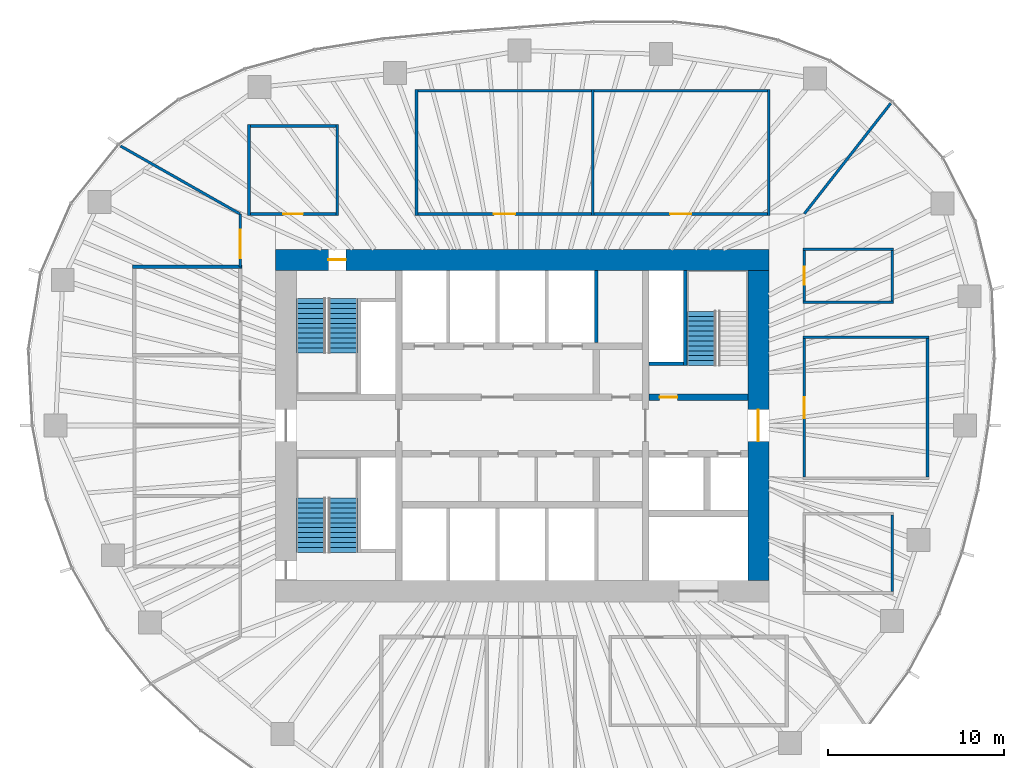
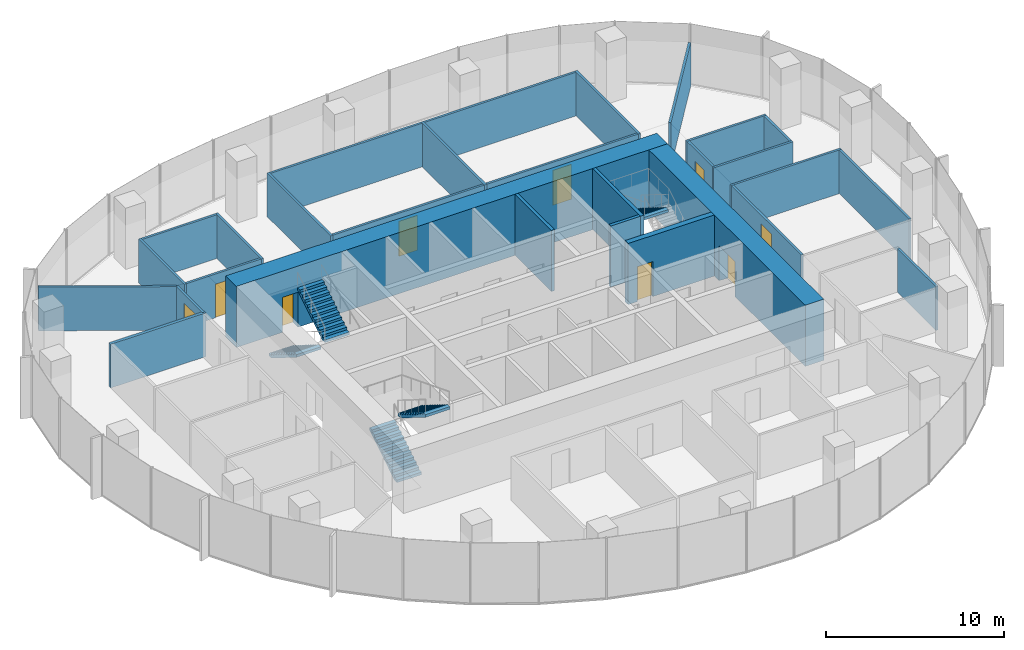
# One storey, part 10 of 12: 29 walls, 9 doors, 5 stair flights, 9 openings, 3 elements without a shape of their own.
"""IFC4 building model written with IfcOpenShell, lengths in metres."""

from ifc_helpers import new_model, si_unit, direction, frame, frame_2d, origin, place, context, subcontext, project, spatial, polyline, rectangle, outline, extrude, material, layer, layer_set, type_object, element, fill, aggregate, save


model = new_model("IFC4")

# Units and contexts
model_context = context("Model", 3, precision=1e-05, world=origin(), true_north=direction((0.0, 1.0)))
body_context = subcontext(model_context, "Body", "Model", "MODEL_VIEW")
ifc_project = project(units=[si_unit("LENGTHUNIT", "METRE"), si_unit("AREAUNIT", "SQUARE_METRE"), si_unit("VOLUMEUNIT", "CUBIC_METRE"), si_unit("PLANEANGLEUNIT", "RADIAN"), si_unit("MASSUNIT", "GRAM", prefix="KILO")], contexts=[model_context])

# Site, building, storey
site_placement = place(None, origin())
site = spatial("IfcSite", under=ifc_project, at=site_placement, CompositionType="ELEMENT")
building_placement = place(site_placement, origin())
building = spatial("IfcBuilding", under=site, at=building_placement, Name="Ghaith Harvest Tower", CompositionType="ELEMENT")
storey_placement = place(building_placement, frame((0.0, 0.0, 224.199951171875)))
storey = spatial("IfcBuildingStorey", under=building, at=storey_placement, Name="L49", CompositionType="ELEMENT", Elevation=224.199951171875)

# Wall
ifc_material_1 = material(Name="Twin-stud gypsum board, acoustic", Category="gypsum")
ifc_layer_1 = layer(ifc_material_1, 0.199951171875)
ifc_layer_set_1 = layer_set([ifc_layer_1], Name="ACOUSTIC PARTITION 200")
wall_type_1 = type_object("IfcWallType", Name="ACOUSTIC PARTITION 200", PredefinedType="PARTITIONING", material=ifc_layer_set_1)
wall_1_placement = place(storey_placement, frame((-15.89990234375, 9.0, 0.0), z_axis=(0.0, 0.0, 1.0), x_axis=(-1.0, 0.0, 0.0)))
element("IfcWall", 1, at=wall_1_placement, inside=storey, type_object=wall_type_1, Name="Partition L49 row W6 cross wall 5", PredefinedType="PARTITIONING", context=body_context, shape_type="SweptSolid", body=[
    extrude(rectangle(XDim=6.2001953125, YDim=0.199951171875, at=frame_2d((3.10009765625, 0.0))), origin(), (0.0, 0.0, 1.0), 3.0),
])

# Wall, opening, door
ifc_material_2 = material(Name="Concrete C60/75", Category="concrete")
ifc_layer_2 = layer(ifc_material_2, 1.199951171875)
ifc_layer_set_2 = layer_set([ifc_layer_2], Name="CORE WALL CW1200 C60")
wall_type_2 = type_object("IfcWallType", Name="CORE WALL CW1200 C60", PredefinedType="SHEAR", material=ifc_layer_set_2)
wall_2_placement = place(storey_placement, frame((14.0, 9.39990234375, 0.0), z_axis=(0.0, 0.0, 1.0), x_axis=(-1.0, 0.0, 0.0)))
wall_2 = element("IfcWall", 2, at=wall_2_placement, inside=storey, type_object=wall_type_2, Name="Core wall N L49", PredefinedType="SHEAR", context=body_context, shape_type="SweptSolid", body=[
    extrude(rectangle(XDim=28.0, YDim=1.199951171875, at=frame_2d((14.0, 0.0))), origin(), (0.0, 0.0, 1.0), 4.199951171875),
])
opening_1_placement = place(wall_2_placement, frame((24.0, 0.0, 0.0)))
opening_1 = element("IfcOpeningElement", 3, at=opening_1_placement, cuts=wall_2, Name="Opening 49-005", PredefinedType="OPENING", context=body_context, shape_type="SweptSolid", body=[
    extrude(rectangle(XDim=1.0, YDim=2.39990234375, at=frame_2d((0.5, 1.199951171875))), frame((0.0, 0.60986328125, 0.0), z_axis=(0.0, -1.0, 0.0), x_axis=(1.0, 0.0, 0.0)), (0.0, 0.0, 1.0), 1.219970703125),
])
ifc_material_3 = material(Name="Steel fire door", Category="steel")
door_type_1 = type_object("IfcDoorType", Name="D3 FD90 1000x2400", OperationType="SINGLE_SWING_LEFT", PredefinedType="DOOR", material=ifc_material_3)
door_1_placement = place(opening_1_placement, origin())
door_1 = element("IfcDoor", 4, at=door_1_placement, inside=storey, type_object=door_type_1, Name="Stair ST1 door", OperationType="SINGLE_SWING_RIGHT", OverallHeight=2.39990234375, OverallWidth=1.0, PredefinedType="DOOR", context=body_context, shape_type="SweptSolid", body=[
    extrude(rectangle(XDim=1.0, YDim=2.39990234375, at=frame_2d((0.5, 1.199951171875))), frame((0.0, 0.02490234375, 0.0), z_axis=(0.0, -1.0, 0.0), x_axis=(1.0, 0.0, 0.0)), (0.0, 0.0, 1.0), 0.050048828125),
])
fill(opening_1, door_1)

wall_3_placement = place(storey_placement, frame((13.39990234375, -8.800048828125, 0.0), z_axis=(0.0, 0.0, 1.0), x_axis=(0.0, 1.0, 0.0)))
wall_3 = element("IfcWall", 5, at=wall_3_placement, inside=storey, type_object=wall_type_2, Name="Core wall E L49", PredefinedType="SHEAR", context=body_context, shape_type="SweptSolid", body=[
    extrude(rectangle(XDim=17.60009765625, YDim=1.199951171875, at=frame_2d((8.800048828125, 0.0))), origin(), (0.0, 0.0, 1.0), 4.199951171875),
])
opening_2_placement = place(wall_3_placement, frame((7.89990234375, 0.0, 0.0)))
opening_2 = element("IfcOpeningElement", 6, at=opening_2_placement, cuts=wall_3, Name="Opening 49-002", PredefinedType="OPENING", context=body_context, shape_type="SweptSolid", body=[
    extrude(rectangle(XDim=1.800048828125, YDim=2.39990234375, at=frame_2d((0.89990234375, 1.199951171875))), frame((0.0, 0.60986328125, 0.0), z_axis=(0.0, -1.0, 0.0), x_axis=(1.0, 0.0, 0.0)), (0.0, 0.0, 1.0), 1.219970703125),
])
ifc_material_4 = material(Name="Steel fire door", Category="steel")
door_type_2 = type_object("IfcDoorType", Name="D4 FD90 PAIR 1800x2400", OperationType="DOUBLE_DOOR_SINGLE_SWING", PredefinedType="DOOR", material=ifc_material_4)
door_2_placement = place(opening_2_placement, origin())
door_2 = element("IfcDoor", 7, at=door_2_placement, inside=storey, type_object=door_type_2, Name="Fire-fighting lobby doors", OperationType="DOUBLE_DOOR_SINGLE_SWING", OverallHeight=2.39990234375, OverallWidth=1.800048828125, PredefinedType="DOOR", context=body_context, shape_type="SweptSolid", body=[
    extrude(rectangle(XDim=1.800048828125, YDim=2.39990234375, at=frame_2d((0.89990234375, 1.199951171875))), frame((0.0, 0.02490234375, 0.0), z_axis=(0.0, -1.0, 0.0), x_axis=(1.0, 0.0, 0.0)), (0.0, 0.0, 1.0), 0.050048828125),
])
fill(opening_2, door_2)

# Walls
ifc_material_5 = material(Name="Concrete blockwork, 2-hour", Category="masonry")
ifc_layer_3 = layer(ifc_material_5, 0.199951171875)
ifc_layer_set_3 = layer_set([ifc_layer_3], Name="LIFT SHAFT WALL 200")
wall_type_3 = type_object("IfcWallType", Name="LIFT SHAFT WALL 200", PredefinedType="PARTITIONING", material=ifc_layer_set_3)
wall_4_placement = place(storey_placement, frame((4.199951171875, 4.699951171875, 0.0), z_axis=(0.0, 0.0, 1.0), x_axis=(0.0, 1.0, 0.0)))
element("IfcWall", 8, at=wall_4_placement, inside=storey, type_object=wall_type_3, Name="Lift shaft wall L49", PredefinedType="PARTITIONING", context=body_context, shape_type="SweptSolid", body=[
    extrude(rectangle(XDim=4.10009765625, YDim=0.199951171875, at=frame_2d((2.050048828125, 0.0))), origin(), (0.0, 0.0, 1.0), 4.199951171875),
])
ifc_material_6 = material(Name="Gypsum board on steel studs", Category="steel")
ifc_layer_4 = layer(ifc_material_6, 0.14990234375)
ifc_layer_set_4 = layer_set([ifc_layer_4], Name="PARTITION 150")
wall_type_4 = type_object("IfcWallType", Name="PARTITION 150", PredefinedType="PARTITIONING", material=ifc_layer_set_4)
for number, where, z_axis, x_axis, name in (
    (9, (-6.0, 11.925048828125, 0.0), (0.0, 0.0, 1.0), (0.0, 1.0, 0.0), "Partition L49 row N1 cross wall 1"),
    (10, (4.0, 11.925048828125, 0.0), (0.0, 0.0, 1.0), (0.0, 1.0, 0.0), "Partition L49 row N1 cross wall 2"),
    (11, (14.0, 11.925048828125, 0.0), (0.0, 0.0, 1.0), (0.0, 1.0, 0.0), "Partition L49 row N1 cross wall 3"),
):
    element("IfcWall", number, at=place(storey_placement, frame(where, z_axis=z_axis, x_axis=x_axis)), inside=storey, type_object=wall_type_4, Name=name, PredefinedType="PARTITIONING", context=body_context, shape_type="SweptSolid", body=[
        extrude(rectangle(XDim=7.14990234375, YDim=0.14990234375, at=frame_2d((3.574951171875, 0.0))), origin(), (0.0, 0.0, 1.0), 3.0),
    ])

# Wall, opening, door
wall_5_placement = place(storey_placement, frame((-5.925048828125, 12.0, 0.0), z_axis=(0.0, 0.0, 1.0), x_axis=(1.0, 0.0, 0.0)))
wall_5 = element("IfcWall", 12, at=wall_5_placement, inside=storey, type_object=wall_type_4, Name="Partition L49-01", PredefinedType="PARTITIONING", context=body_context, shape_type="SweptSolid", body=[
    extrude(rectangle(XDim=9.85009765625, YDim=0.14990234375, at=frame_2d((4.925048828125, 0.0))), origin(), (0.0, 0.0, 1.0), 3.0),
])
opening_3_placement = place(wall_5_placement, frame((4.324951171875, 0.0, 0.0)))
opening_3 = element("IfcOpeningElement", 13, at=opening_3_placement, cuts=wall_5, Name="Opening 49-021", PredefinedType="OPENING", context=body_context, shape_type="SweptSolid", body=[
    extrude(rectangle(XDim=1.199951171875, YDim=2.39990234375, at=frame_2d((0.60009765625, 1.199951171875))), frame((0.0, 0.0849609375, 0.0), z_axis=(0.0, -1.0, 0.0), x_axis=(1.0, 0.0, 0.0)), (0.0, 0.0, 1.0), 0.169921875),
])
ifc_material_7 = material(Name="Timber door", Category="wood")
door_type_3 = type_object("IfcDoorType", Name="D11 GLAZED 1200x2400", OperationType="SINGLE_SWING_LEFT", PredefinedType="DOOR", material=ifc_material_7)
door_3_placement = place(opening_3_placement, origin())
door_3 = element("IfcDoor", 14, at=door_3_placement, inside=storey, type_object=door_type_3, Name="Research studio door", OperationType="SINGLE_SWING_LEFT", OverallHeight=2.39990234375, OverallWidth=1.199951171875, PredefinedType="DOOR", context=body_context, shape_type="SweptSolid", body=[
    extrude(rectangle(XDim=1.199951171875, YDim=2.39990234375, at=frame_2d((0.60009765625, 1.199951171875))), frame((0.0, 0.02490234375, 0.0), z_axis=(0.0, -1.0, 0.0), x_axis=(1.0, 0.0, 0.0)), (0.0, 0.0, 1.0), 0.050048828125),
])
fill(opening_3, door_3)

# Wall
wall_6_placement = place(storey_placement, frame((-5.925048828125, 19.0, 0.0), z_axis=(0.0, 0.0, 1.0), x_axis=(1.0, 0.0, 0.0)))
element("IfcWall", 15, at=wall_6_placement, inside=storey, type_object=wall_type_4, Name="Partition L49-01", PredefinedType="PARTITIONING", context=body_context, shape_type="SweptSolid", body=[
    extrude(rectangle(XDim=9.85009765625, YDim=0.14990234375, at=frame_2d((4.925048828125, 0.0))), origin(), (0.0, 0.0, 1.0), 3.0),
])

# Wall, opening, door
wall_7_placement = place(storey_placement, frame((4.074951171875, 12.0, 0.0), z_axis=(0.0, 0.0, 1.0), x_axis=(1.0, 0.0, 0.0)))
wall_7 = element("IfcWall", 16, at=wall_7_placement, inside=storey, type_object=wall_type_4, Name="Partition L49-02", PredefinedType="PARTITIONING", context=body_context, shape_type="SweptSolid", body=[
    extrude(rectangle(XDim=9.85009765625, YDim=0.14990234375, at=frame_2d((4.925048828125, 0.0))), origin(), (0.0, 0.0, 1.0), 3.0),
])
opening_4_placement = place(wall_7_placement, frame((4.324951171875, 0.0, 0.0)))
opening_4 = element("IfcOpeningElement", 17, at=opening_4_placement, cuts=wall_7, Name="Opening 49-022", PredefinedType="OPENING", context=body_context, shape_type="SweptSolid", body=[
    extrude(rectangle(XDim=1.199951171875, YDim=2.39990234375, at=frame_2d((0.60009765625, 1.199951171875))), frame((0.0, 0.0849609375, 0.0), z_axis=(0.0, -1.0, 0.0), x_axis=(1.0, 0.0, 0.0)), (0.0, 0.0, 1.0), 0.169921875),
])
door_4_placement = place(opening_4_placement, origin())
door_4 = element("IfcDoor", 18, at=door_4_placement, inside=storey, type_object=door_type_3, Name="Research studio door", OperationType="SINGLE_SWING_LEFT", OverallHeight=2.39990234375, OverallWidth=1.199951171875, PredefinedType="DOOR", context=body_context, shape_type="SweptSolid", body=[
    extrude(rectangle(XDim=1.199951171875, YDim=2.39990234375, at=frame_2d((0.60009765625, 1.199951171875))), frame((0.0, 0.02490234375, 0.0), z_axis=(0.0, -1.0, 0.0), x_axis=(1.0, 0.0, 0.0)), (0.0, 0.0, 1.0), 0.050048828125),
])
fill(opening_4, door_4)

# Walls
wall_8_placement = place(storey_placement, frame((4.074951171875, 19.0, 0.0), z_axis=(0.0, 0.0, 1.0), x_axis=(1.0, 0.0, 0.0)))
element("IfcWall", 19, at=wall_8_placement, inside=storey, type_object=wall_type_4, Name="Partition L49-02", PredefinedType="PARTITIONING", context=body_context, shape_type="SweptSolid", body=[
    extrude(rectangle(XDim=9.85009765625, YDim=0.14990234375, at=frame_2d((4.925048828125, 0.0))), origin(), (0.0, 0.0, 1.0), 3.0),
])
for number, where, z_axis, x_axis, name in (
    (20, (-15.5, 11.925048828125, 0.0), (0.0, 0.0, 1.0), (0.0, 1.0, 0.0), "Partition L49 row N2 cross wall 1"),
    (21, (-10.5, 11.925048828125, 0.0), (0.0, 0.0, 1.0), (0.0, 1.0, 0.0), "Partition L49 row N2 cross wall 2"),
):
    element("IfcWall", number, at=place(storey_placement, frame(where, z_axis=z_axis, x_axis=x_axis)), inside=storey, type_object=wall_type_4, Name=name, PredefinedType="PARTITIONING", context=body_context, shape_type="SweptSolid", body=[
        extrude(rectangle(XDim=5.14990234375, YDim=0.14990234375, at=frame_2d((2.574951171875, 0.0))), origin(), (0.0, 0.0, 1.0), 3.0),
    ])

# Wall, opening, door
wall_9_placement = place(storey_placement, frame((-15.425048828125, 12.0, 0.0), z_axis=(0.0, 0.0, 1.0), x_axis=(1.0, 0.0, 0.0)))
wall_9 = element("IfcWall", 22, at=wall_9_placement, inside=storey, type_object=wall_type_4, Name="Partition L49-03", PredefinedType="PARTITIONING", context=body_context, shape_type="SweptSolid", body=[
    extrude(rectangle(XDim=4.85009765625, YDim=0.14990234375, at=frame_2d((2.425048828125, 0.0))), origin(), (0.0, 0.0, 1.0), 3.0),
])
opening_5_placement = place(wall_9_placement, frame((1.875, 0.0, 0.0)))
opening_5 = element("IfcOpeningElement", 23, at=opening_5_placement, cuts=wall_9, Name="Opening 49-023", PredefinedType="OPENING", context=body_context, shape_type="SweptSolid", body=[
    extrude(rectangle(XDim=1.10009765625, YDim=2.300048828125, at=frame_2d((0.550048828125, 1.14990234375))), frame((0.0, 0.0849609375, 0.0), z_axis=(0.0, -1.0, 0.0), x_axis=(1.0, 0.0, 0.0)), (0.0, 0.0, 1.0), 0.169921875),
])
ifc_material_8 = material(Name="Timber-framed glazed door", Category="wood")
door_type_4 = type_object("IfcDoorType", Name="D12 GLAZED OFFICE 1100x2300", OperationType="SINGLE_SWING_LEFT", PredefinedType="DOOR", material=ifc_material_8)
door_5_placement = place(opening_5_placement, origin())
door_5 = element("IfcDoor", 24, at=door_5_placement, inside=storey, type_object=door_type_4, Name="Office door", OperationType="SINGLE_SWING_LEFT", OverallHeight=2.300048828125, OverallWidth=1.10009765625, PredefinedType="DOOR", context=body_context, shape_type="SweptSolid", body=[
    extrude(rectangle(XDim=1.10009765625, YDim=2.300048828125, at=frame_2d((0.550048828125, 1.14990234375))), frame((0.0, 0.02490234375, 0.0), z_axis=(0.0, -1.0, 0.0), x_axis=(1.0, 0.0, 0.0)), (0.0, 0.0, 1.0), 0.050048828125),
])
fill(opening_5, door_5)

# Walls
wall_10_placement = place(storey_placement, frame((-15.425048828125, 17.0, 0.0), z_axis=(0.0, 0.0, 1.0), x_axis=(1.0, 0.0, 0.0)))
element("IfcWall", 25, at=wall_10_placement, inside=storey, type_object=wall_type_4, Name="Partition L49-03", PredefinedType="PARTITIONING", context=body_context, shape_type="SweptSolid", body=[
    extrude(rectangle(XDim=4.85009765625, YDim=0.14990234375, at=frame_2d((2.425048828125, 0.0))), origin(), (0.0, 0.0, 1.0), 3.0),
])
wall_11_placement = place(storey_placement, frame((15.925048828125, 5.0, 0.0), z_axis=(0.0, 0.0, 1.0), x_axis=(1.0, 0.0, 0.0)))
element("IfcWall", 26, at=wall_11_placement, inside=storey, type_object=wall_type_4, Name="Partition L49 row E5 cross wall 2", PredefinedType="PARTITIONING", context=body_context, shape_type="SweptSolid", body=[
    extrude(rectangle(XDim=7.14990234375, YDim=0.14990234375, at=frame_2d((3.574951171875, 0.0))), origin(), (0.0, 0.0, 1.0), 3.0),
])

# Wall, opening, door
wall_12_placement = place(storey_placement, frame((16.0, -2.925048828125, 0.0), z_axis=(0.0, 0.0, 1.0), x_axis=(0.0, 1.0, 0.0)))
wall_12 = element("IfcWall", 27, at=wall_12_placement, inside=storey, type_object=wall_type_4, Name="Partition L49-08", PredefinedType="PARTITIONING", context=body_context, shape_type="SweptSolid", body=[
    extrude(rectangle(XDim=7.85009765625, YDim=0.14990234375, at=frame_2d((3.925048828125, 0.0))), origin(), (0.0, 0.0, 1.0), 3.0),
])
opening_6_placement = place(wall_12_placement, frame((3.324951171875, 0.0, 0.0)))
opening_6 = element("IfcOpeningElement", 28, at=opening_6_placement, cuts=wall_12, Name="Opening 49-028", PredefinedType="OPENING", context=body_context, shape_type="SweptSolid", body=[
    extrude(rectangle(XDim=1.199951171875, YDim=2.39990234375, at=frame_2d((0.60009765625, 1.199951171875))), frame((0.0, 0.0849609375, 0.0), z_axis=(0.0, -1.0, 0.0), x_axis=(1.0, 0.0, 0.0)), (0.0, 0.0, 1.0), 0.169921875),
])
door_6_placement = place(opening_6_placement, origin())
door_6 = element("IfcDoor", 29, at=door_6_placement, inside=storey, type_object=door_type_3, Name="Operations room door", OperationType="SINGLE_SWING_LEFT", OverallHeight=2.39990234375, OverallWidth=1.199951171875, PredefinedType="DOOR", context=body_context, shape_type="SweptSolid", body=[
    extrude(rectangle(XDim=1.199951171875, YDim=2.39990234375, at=frame_2d((0.60009765625, 1.199951171875))), frame((0.0, 0.02490234375, 0.0), z_axis=(0.0, -1.0, 0.0), x_axis=(1.0, 0.0, 0.0)), (0.0, 0.0, 1.0), 0.050048828125),
])
fill(opening_6, door_6)

# Walls
wall_13_placement = place(storey_placement, frame((23.0, -2.925048828125, 0.0), z_axis=(0.0, 0.0, 1.0), x_axis=(0.0, 1.0, 0.0)))
element("IfcWall", 30, at=wall_13_placement, inside=storey, type_object=wall_type_4, Name="Partition L49-08", PredefinedType="PARTITIONING", context=body_context, shape_type="SweptSolid", body=[
    extrude(rectangle(XDim=7.85009765625, YDim=0.14990234375, at=frame_2d((3.925048828125, 0.0))), origin(), (0.0, 0.0, 1.0), 3.0),
])
for number, where, z_axis, x_axis, name in (
    (31, (15.925048828125, 7.0, 0.0), (0.0, 0.0, 1.0), (1.0, 0.0, 0.0), "Partition L49 row E7 cross wall 1"),
    (32, (15.925048828125, 10.0, 0.0), (0.0, 0.0, 1.0), (1.0, 0.0, 0.0), "Partition L49 row E7 cross wall 2"),
):
    element("IfcWall", number, at=place(storey_placement, frame(where, z_axis=z_axis, x_axis=x_axis)), inside=storey, type_object=wall_type_4, Name=name, PredefinedType="PARTITIONING", context=body_context, shape_type="SweptSolid", body=[
        extrude(rectangle(XDim=5.14990234375, YDim=0.14990234375, at=frame_2d((2.574951171875, 0.0))), origin(), (0.0, 0.0, 1.0), 3.0),
    ])

# Wall, opening, door
wall_14_placement = place(storey_placement, frame((16.0, 7.074951171875, 0.0), z_axis=(0.0, 0.0, 1.0), x_axis=(0.0, 1.0, 0.0)))
wall_14 = element("IfcWall", 33, at=wall_14_placement, inside=storey, type_object=wall_type_4, Name="Partition L49-13", PredefinedType="PARTITIONING", context=body_context, shape_type="SweptSolid", body=[
    extrude(rectangle(XDim=2.85009765625, YDim=0.14990234375, at=frame_2d((1.425048828125, 0.0))), origin(), (0.0, 0.0, 1.0), 3.0),
])
opening_7_placement = place(wall_14_placement, frame((0.925048828125, 0.0, 0.0)))
opening_7 = element("IfcOpeningElement", 34, at=opening_7_placement, cuts=wall_14, Name="Opening 49-033", PredefinedType="OPENING", context=body_context, shape_type="SweptSolid", body=[
    extrude(rectangle(XDim=1.0, YDim=2.199951171875, at=frame_2d((0.5, 1.10009765625))), frame((0.0, 0.0849609375, 0.0), z_axis=(0.0, -1.0, 0.0), x_axis=(1.0, 0.0, 0.0)), (0.0, 0.0, 1.0), 0.169921875),
])
ifc_material_9 = material(Name="Timber door", Category="wood")
door_type_5 = type_object("IfcDoorType", Name="D1 SINGLE 1000x2200", OperationType="SINGLE_SWING_LEFT", PredefinedType="DOOR", material=ifc_material_9)
door_7_placement = place(opening_7_placement, origin())
door_7 = element("IfcDoor", 35, at=door_7_placement, inside=storey, type_object=door_type_5, Name="Store door", OperationType="SINGLE_SWING_LEFT", OverallHeight=2.199951171875, OverallWidth=1.0, PredefinedType="DOOR", context=body_context, shape_type="SweptSolid", body=[
    extrude(rectangle(XDim=1.0, YDim=2.199951171875, at=frame_2d((0.5, 1.10009765625))), frame((0.0, 0.02490234375, 0.0), z_axis=(0.0, -1.0, 0.0), x_axis=(1.0, 0.0, 0.0)), (0.0, 0.0, 1.0), 0.050048828125),
])
fill(opening_7, door_7)

# Walls
wall_15_placement = place(storey_placement, frame((21.0, 7.074951171875, 0.0), z_axis=(0.0, 0.0, 1.0), x_axis=(0.0, 1.0, 0.0)))
element("IfcWall", 36, at=wall_15_placement, inside=storey, type_object=wall_type_4, Name="Partition L49-13", PredefinedType="PARTITIONING", context=body_context, shape_type="SweptSolid", body=[
    extrude(rectangle(XDim=2.85009765625, YDim=0.14990234375, at=frame_2d((1.425048828125, 0.0))), origin(), (0.0, 0.0, 1.0), 3.0),
])
wall_16_placement = place(storey_placement, frame((21.0, -9.425048828125, 0.0), z_axis=(0.0, 0.0, 1.0), x_axis=(0.0, 1.0, 0.0)))
element("IfcWall", 37, at=wall_16_placement, inside=storey, type_object=wall_type_4, Name="Partition L49-14", PredefinedType="PARTITIONING", context=body_context, shape_type="SweptSolid", body=[
    extrude(rectangle(XDim=4.35009765625, YDim=0.14990234375, at=frame_2d((2.175048828125, 0.0))), origin(), (0.0, 0.0, 1.0), 3.0),
])
wall_17_placement = place(storey_placement, frame((-16.017333984375, 12.010009765625, 0.0), z_axis=(0.0, 0.0, 1.0), x_axis=(-0.869357432803, 0.494183826151, 0.0)))
element("IfcWall", 38, at=wall_17_placement, inside=storey, type_object=wall_type_4, Name="Partition L49 zone division", PredefinedType="PARTITIONING", context=body_context, shape_type="SweptSolid", body=[
    extrude(rectangle(XDim=7.791259765625, YDim=0.14990234375, at=frame_2d((3.8955078125, 0.0))), origin(), (0.0, 0.0, 1.0), 3.0),
])
wall_18_placement = place(storey_placement, frame((16.01220703125, 12.015625, 0.0), z_axis=(0.0, 0.0, 1.0), x_axis=(0.616030058222, 0.787722646219, 0.0)))
element("IfcWall", 39, at=wall_18_placement, inside=storey, type_object=wall_type_4, Name="Partition L49 zone division", PredefinedType="PARTITIONING", context=body_context, shape_type="SweptSolid", body=[
    extrude(rectangle(XDim=7.95166015625, YDim=0.14990234375, at=frame_2d((3.975830078125, 0.0))), origin(), (0.0, 0.0, 1.0), 3.0),
])

# Wall, opening, door
wall_19_placement = place(storey_placement, frame((-16.0, 12.0, 0.0), z_axis=(0.0, 0.0, 1.0), x_axis=(0.0, -1.0, 0.0)))
wall_19 = element("IfcWall", 40, at=wall_19_placement, inside=storey, type_object=wall_type_4, Name="Partition L49 zone enclosure", PredefinedType="PARTITIONING", context=body_context, shape_type="SweptSolid", body=[
    extrude(rectangle(XDim=3.0, YDim=0.14990234375, at=frame_2d((1.5, 0.0))), origin(), (0.0, 0.0, 1.0), 3.0),
])
opening_8_placement = place(wall_19_placement, frame((0.89990234375, 0.0, 0.0)))
opening_8 = element("IfcOpeningElement", 41, at=opening_8_placement, cuts=wall_19, Name="Opening 49-035", PredefinedType="OPENING", context=body_context, shape_type="SweptSolid", body=[
    extrude(rectangle(XDim=1.60009765625, YDim=2.39990234375, at=frame_2d((0.800048828125, 1.199951171875))), frame((0.0, 0.0849609375, 0.0), z_axis=(0.0, -1.0, 0.0), x_axis=(1.0, 0.0, 0.0)), (0.0, 0.0, 1.0), 0.169921875),
])
ifc_material_10 = material(Name="Timber door", Category="wood")
door_type_6 = type_object("IfcDoorType", Name="D2 PAIR 1600x2400", OperationType="DOUBLE_DOOR_SINGLE_SWING", PredefinedType="DOOR", material=ifc_material_10)
door_8_placement = place(opening_8_placement, origin())
door_8 = element("IfcDoor", 42, at=door_8_placement, inside=storey, type_object=door_type_6, Name="Research workplace west door", OperationType="DOUBLE_DOOR_SINGLE_SWING", OverallHeight=2.39990234375, OverallWidth=1.60009765625, PredefinedType="DOOR", context=body_context, shape_type="SweptSolid", body=[
    extrude(rectangle(XDim=1.60009765625, YDim=2.39990234375, at=frame_2d((0.800048828125, 1.199951171875))), frame((0.0, 0.02490234375, 0.0), z_axis=(0.0, -1.0, 0.0), x_axis=(1.0, 0.0, 0.0)), (0.0, 0.0, 1.0), 0.050048828125),
])
fill(opening_8, door_8)

ifc_material_11 = material(Name="Concrete C60/75", Category="concrete")
ifc_layer_5 = layer(ifc_material_11, 0.35009765625)
ifc_layer_set_5 = layer_set([ifc_layer_5], Name="SHAFT WALL 350")
wall_type_5 = type_object("IfcWallType", Name="SHAFT WALL 350", PredefinedType="SHEAR", material=ifc_layer_set_5)
wall_20_placement = place(storey_placement, frame((7.199951171875, 1.60009765625, 0.0), z_axis=(0.0, 0.0, 1.0), x_axis=(1.0, 0.0, 0.0)))
wall_20 = element("IfcWall", 43, at=wall_20_placement, inside=storey, type_object=wall_type_5, Name="Shaft wall EN L49", PredefinedType="SHEAR", context=body_context, shape_type="SweptSolid", body=[
    extrude(rectangle(XDim=5.60009765625, YDim=0.35009765625, at=frame_2d((2.800048828125, 0.0))), origin(), (0.0, 0.0, 1.0), 4.199951171875),
])
opening_9_placement = place(wall_20_placement, frame((0.60009765625, 0.0, 0.0)))
opening_9 = element("IfcOpeningElement", 44, at=opening_9_placement, cuts=wall_20, Name="Opening 49-007", PredefinedType="OPENING", context=body_context, shape_type="SweptSolid", body=[
    extrude(rectangle(XDim=1.0, YDim=2.39990234375, at=frame_2d((0.5, 1.199951171875))), frame((0.0, 0.18505859375, 0.0), z_axis=(0.0, -1.0, 0.0), x_axis=(1.0, 0.0, 0.0)), (0.0, 0.0, 1.0), 0.3701171875),
])
door_9_placement = place(opening_9_placement, origin())
door_9 = element("IfcDoor", 45, at=door_9_placement, inside=storey, type_object=door_type_1, Name="Stair ST2 door", OperationType="SINGLE_SWING_LEFT", OverallHeight=2.39990234375, OverallWidth=1.0, PredefinedType="DOOR", context=body_context, shape_type="SweptSolid", body=[
    extrude(rectangle(XDim=1.0, YDim=2.39990234375, at=frame_2d((0.5, 1.199951171875))), frame((0.0, 0.02490234375, 0.0), z_axis=(0.0, -1.0, 0.0), x_axis=(1.0, 0.0, 0.0)), (0.0, 0.0, 1.0), 0.050048828125),
])
fill(opening_9, door_9)

# Walls
ifc_material_12 = material(Name="Concrete C40/50", Category="concrete")
ifc_layer_6 = layer(ifc_material_12, 0.199951171875)
ifc_layer_set_6 = layer_set([ifc_layer_6], Name="STAIR SPINE WALL RC200")
wall_type_6 = type_object("IfcWallType", Name="STAIR SPINE WALL RC200", PredefinedType="SOLIDWALL", material=ifc_layer_set_6)
wall_21_placement = place(storey_placement, frame((9.25, 3.39990234375, 0.0), z_axis=(0.0, 0.0, 1.0), x_axis=(0.0, 1.0, 0.0)))
element("IfcWall", 46, at=wall_21_placement, inside=storey, type_object=wall_type_6, Name="Stair ST2 spine wall L49", PredefinedType="SOLIDWALL", context=body_context, shape_type="SweptSolid", body=[
    extrude(rectangle(XDim=5.400146484375, YDim=0.199951171875, at=frame_2d((2.7001953125, 0.0))), origin(), (0.0, 0.0, 1.0), 4.199951171875),
])
wall_22_placement = place(storey_placement, frame((9.14990234375, 3.5, 0.0), z_axis=(0.0, 0.0, 1.0), x_axis=(-1.0, 0.0, 0.0)))
element("IfcWall", 47, at=wall_22_placement, inside=storey, type_object=wall_type_6, Name="Stair ST2 spine wall return L49", PredefinedType="SOLIDWALL", context=body_context, shape_type="SweptSolid", body=[
    extrude(rectangle(XDim=1.949951171875, YDim=0.199951171875, at=frame_2d((0.97509765625, 0.0))), origin(), (0.0, 0.0, 1.0), 4.199951171875),
])

# Stair, stair flights
ifc_material_13 = material(Name="Concrete C40/50, precast", Category="concrete")
stair_type = type_object("IfcStairType", Name="CORE STAIR 24R", PredefinedType="HALF_TURN_STAIR", material=ifc_material_13)
stair_1_placement = place(storey_placement, origin())
stair_1 = element("IfcStair", 48, at=stair_1_placement, inside=storey, type_object=stair_type, Name="Stair ST1 L49", PredefinedType="HALF_TURN_STAIR")
ifc_material_14 = material(Name="Concrete C40/50, precast", Category="concrete")
stair_flight_type = type_object("IfcStairFlightType", Name="CORE FLIGHT 12R 1600", PredefinedType="STRAIGHT", material=ifc_material_14)
stair_flight_1_placement = place(storey_placement, frame((-12.0, 7.199951171875, 0.0), z_axis=(0.0, 0.0, 1.0), x_axis=(0.0, -1.0, 0.0)))
stair_flight_1 = element("IfcStairFlight", 49, at=stair_flight_1_placement, type_object=stair_flight_type, Name="ST1 flight 1", NumberOfRisers=12, NumberOfTreads=11, PredefinedType="STRAIGHT", RiserHeight=0.175, TreadLength=0.28, context=body_context, shape_type="SweptSolid", body=[
    extrude(outline(polyline([(0.0, 0.0), (0.0, 0.175048828125), (0.280029296875, 0.175048828125), (0.280029296875, 0.35009765625), (0.56005859375, 0.35009765625), (0.56005859375, 0.52490234375), (0.840087890625, 0.52490234375), (0.840087890625, 0.699951171875), (1.1201171875, 0.699951171875), (1.1201171875, 0.875), (1.39990234375, 0.875), (1.39990234375, 1.050048828125), (1.679931640625, 1.050048828125), (1.679931640625, 1.22509765625), (1.9599609375, 1.22509765625), (1.9599609375, 1.39990234375), (2.239990234375, 1.39990234375), (2.239990234375, 1.574951171875), (2.52001953125, 1.574951171875), (2.52001953125, 1.75), (2.800048828125, 1.75), (2.800048828125, 1.925048828125), (3.080078125, 1.925048828125), (3.080078125, 2.10009765625), (3.080078125, 1.748291015625), (0.28271484375, 0.0), (0.0, 0.0)])), frame((0.0, 0.800048828125, 0.0), z_axis=(0.0, -1.0, 0.0), x_axis=(1.0, 0.0, 0.0)), (0.0, 0.0, 1.0), 1.60009765625),
])
stair_flight_2_placement = place(storey_placement, frame((-10.14990234375, 4.1201171875, 2.10009765625), z_axis=(0.0, 0.0, 1.0), x_axis=(0.0, 1.0, 0.0)))
stair_flight_2 = element("IfcStairFlight", 50, at=stair_flight_2_placement, type_object=stair_flight_type, Name="ST1 flight 2", NumberOfRisers=12, NumberOfTreads=11, PredefinedType="STRAIGHT", RiserHeight=0.175, TreadLength=0.28, context=body_context, shape_type="SweptSolid", body=[
    extrude(outline(polyline([(0.0, 0.0), (0.0, 0.175048828125), (0.280029296875, 0.175048828125), (0.280029296875, 0.35009765625), (0.56005859375, 0.35009765625), (0.56005859375, 0.52490234375), (0.840087890625, 0.52490234375), (0.840087890625, 0.699951171875), (1.1201171875, 0.699951171875), (1.1201171875, 0.875), (1.39990234375, 0.875), (1.39990234375, 1.050048828125), (1.679931640625, 1.050048828125), (1.679931640625, 1.22509765625), (1.9599609375, 1.22509765625), (1.9599609375, 1.39990234375), (2.239990234375, 1.39990234375), (2.239990234375, 1.574951171875), (2.52001953125, 1.574951171875), (2.52001953125, 1.75), (2.800048828125, 1.75), (2.800048828125, 1.925048828125), (3.080078125, 1.925048828125), (3.080078125, 2.10009765625), (3.080078125, 1.748291015625), (0.28271484375, 0.0), (0.0, 0.0)])), frame((0.0, 0.800048828125, 0.0), z_axis=(0.0, -1.0, 0.0), x_axis=(1.0, 0.0, 0.0)), (0.0, 0.0, 1.0), 1.60009765625),
])
aggregate(stair_1, [stair_flight_1, stair_flight_2])

stair_2_placement = place(storey_placement, origin())
stair_2 = element("IfcStair", 51, at=stair_2_placement, inside=storey, type_object=stair_type, Name="Stair ST3 L49", PredefinedType="HALF_TURN_STAIR")
stair_flight_3_placement = place(storey_placement, frame((-12.0, -7.199951171875, 0.0), z_axis=(0.0, 0.0, 1.0), x_axis=(0.0, 1.0, 0.0)))
stair_flight_3 = element("IfcStairFlight", 52, at=stair_flight_3_placement, type_object=stair_flight_type, Name="ST3 flight 1", NumberOfRisers=12, NumberOfTreads=11, PredefinedType="STRAIGHT", RiserHeight=0.175, TreadLength=0.28, context=body_context, shape_type="SweptSolid", body=[
    extrude(outline(polyline([(0.0, 0.0), (0.0, 0.175048828125), (0.280029296875, 0.175048828125), (0.280029296875, 0.35009765625), (0.56005859375, 0.35009765625), (0.56005859375, 0.52490234375), (0.840087890625, 0.52490234375), (0.840087890625, 0.699951171875), (1.1201171875, 0.699951171875), (1.1201171875, 0.875), (1.39990234375, 0.875), (1.39990234375, 1.050048828125), (1.679931640625, 1.050048828125), (1.679931640625, 1.22509765625), (1.9599609375, 1.22509765625), (1.9599609375, 1.39990234375), (2.239990234375, 1.39990234375), (2.239990234375, 1.574951171875), (2.52001953125, 1.574951171875), (2.52001953125, 1.75), (2.800048828125, 1.75), (2.800048828125, 1.925048828125), (3.080078125, 1.925048828125), (3.080078125, 2.10009765625), (3.080078125, 1.748291015625), (0.28271484375, 0.0), (0.0, 0.0)])), frame((0.0, 0.800048828125, 0.0), z_axis=(0.0, -1.0, 0.0), x_axis=(1.0, 0.0, 0.0)), (0.0, 0.0, 1.0), 1.60009765625),
])
stair_flight_4_placement = place(storey_placement, frame((-10.14990234375, -4.1201171875, 2.10009765625), z_axis=(0.0, 0.0, 1.0), x_axis=(0.0, -1.0, 0.0)))
stair_flight_4 = element("IfcStairFlight", 53, at=stair_flight_4_placement, type_object=stair_flight_type, Name="ST3 flight 2", NumberOfRisers=12, NumberOfTreads=11, PredefinedType="STRAIGHT", RiserHeight=0.175, TreadLength=0.28, context=body_context, shape_type="SweptSolid", body=[
    extrude(outline(polyline([(0.0, 0.0), (0.0, 0.175048828125), (0.280029296875, 0.175048828125), (0.280029296875, 0.35009765625), (0.56005859375, 0.35009765625), (0.56005859375, 0.52490234375), (0.840087890625, 0.52490234375), (0.840087890625, 0.699951171875), (1.1201171875, 0.699951171875), (1.1201171875, 0.875), (1.39990234375, 0.875), (1.39990234375, 1.050048828125), (1.679931640625, 1.050048828125), (1.679931640625, 1.22509765625), (1.9599609375, 1.22509765625), (1.9599609375, 1.39990234375), (2.239990234375, 1.39990234375), (2.239990234375, 1.574951171875), (2.52001953125, 1.574951171875), (2.52001953125, 1.75), (2.800048828125, 1.75), (2.800048828125, 1.925048828125), (3.080078125, 1.925048828125), (3.080078125, 2.10009765625), (3.080078125, 1.748291015625), (0.28271484375, 0.0), (0.0, 0.0)])), frame((0.0, 0.800048828125, 0.0), z_axis=(0.0, -1.0, 0.0), x_axis=(1.0, 0.0, 0.0)), (0.0, 0.0, 1.0), 1.60009765625),
])
aggregate(stair_2, [stair_flight_3, stair_flight_4])

# Stair, stair flight
stair_3_placement = place(storey_placement, origin())
stair_3 = element("IfcStair", 54, at=stair_3_placement, inside=storey, type_object=stair_type, Name="Stair ST2 L49", PredefinedType="HALF_TURN_STAIR")
stair_flight_5_placement = place(storey_placement, frame((10.14990234375, 6.47998046875, 2.10009765625), z_axis=(0.0, 0.0, 1.0), x_axis=(0.0, -1.0, 0.0)))
stair_flight_5 = element("IfcStairFlight", 55, at=stair_flight_5_placement, type_object=stair_flight_type, Name="ST2 flight 2", NumberOfRisers=12, NumberOfTreads=11, PredefinedType="STRAIGHT", RiserHeight=0.175, TreadLength=0.28, context=body_context, shape_type="SweptSolid", body=[
    extrude(outline(polyline([(0.0, 0.0), (0.0, 0.175048828125), (0.280029296875, 0.175048828125), (0.280029296875, 0.35009765625), (0.56005859375, 0.35009765625), (0.56005859375, 0.52490234375), (0.840087890625, 0.52490234375), (0.840087890625, 0.699951171875), (1.1201171875, 0.699951171875), (1.1201171875, 0.875), (1.39990234375, 0.875), (1.39990234375, 1.050048828125), (1.679931640625, 1.050048828125), (1.679931640625, 1.22509765625), (1.9599609375, 1.22509765625), (1.9599609375, 1.39990234375), (2.239990234375, 1.39990234375), (2.239990234375, 1.574951171875), (2.52001953125, 1.574951171875), (2.52001953125, 1.75), (2.800048828125, 1.75), (2.800048828125, 1.925048828125), (3.080078125, 1.925048828125), (3.080078125, 2.10009765625), (3.080078125, 1.748291015625), (0.28271484375, 0.0), (0.0, 0.0)])), frame((0.0, 0.800048828125, 0.0), z_axis=(0.0, -1.0, 0.0), x_axis=(1.0, 0.0, 0.0)), (0.0, 0.0, 1.0), 1.60009765625),
])
aggregate(stair_3, [stair_flight_5])

save(model, "model.ifc")
